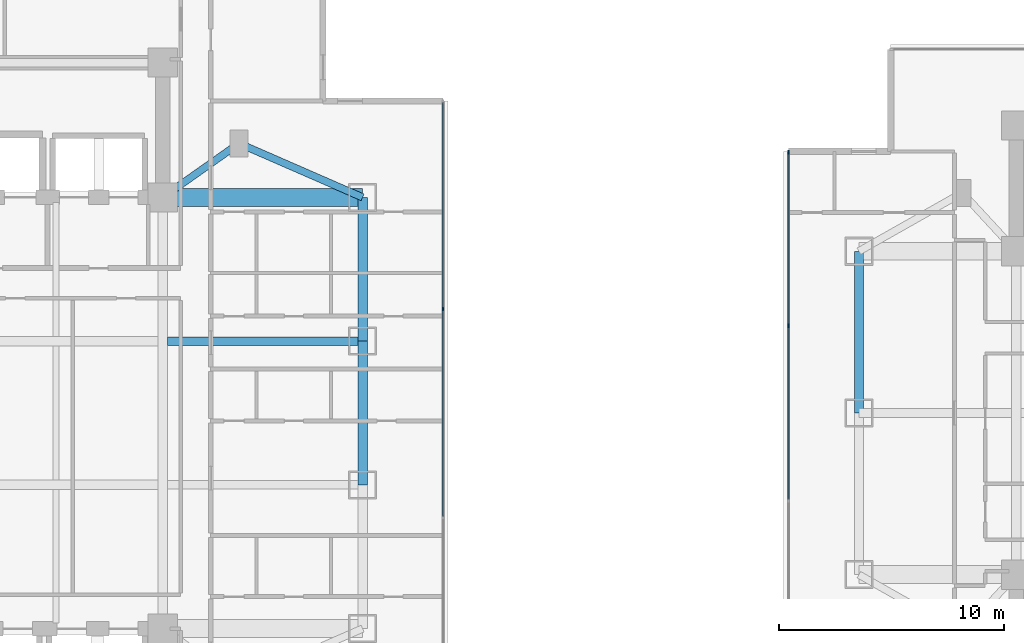
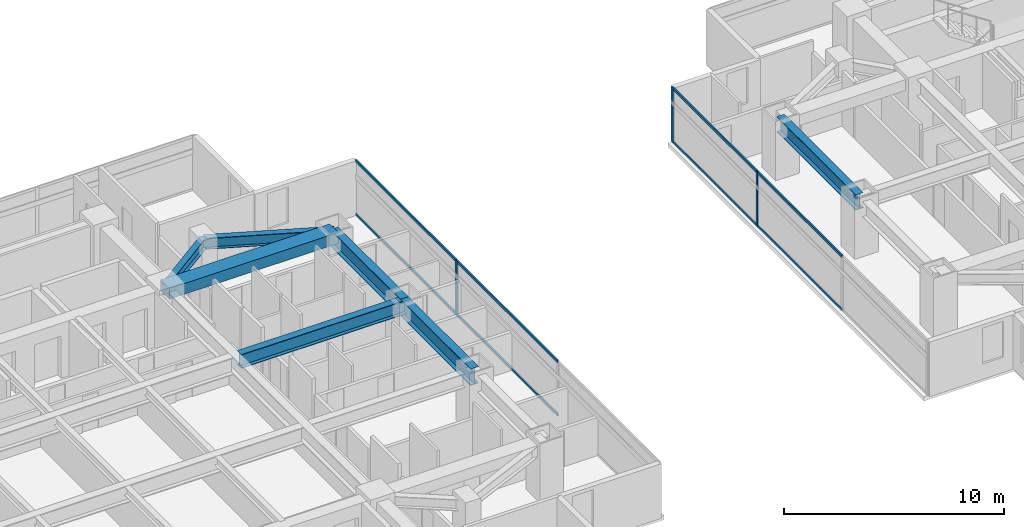
# One storey, part 6 of 24: 11 members, 7 beams, 2 elements without a shape of their own.
"""IFC4 building model written with IfcOpenShell, lengths in metres."""

from ifc_helpers import new_model, si_unit, direction, frame, origin, origin_2d, place, context, subcontext, project, spatial, rectangle, i_section, extrude, material, material_profile, profile_set, type_object, element, aggregate, save


model = new_model("IFC4")

# Units and contexts
model_context = context("Model", 3, precision=1e-05, world=origin(), true_north=direction((0.0, 1.0)))
body_context = subcontext(model_context, "Body", "Model", "MODEL_VIEW")
ifc_project = project(units=[si_unit("LENGTHUNIT", "METRE"), si_unit("AREAUNIT", "SQUARE_METRE"), si_unit("VOLUMEUNIT", "CUBIC_METRE"), si_unit("PLANEANGLEUNIT", "RADIAN"), si_unit("MASSUNIT", "GRAM", prefix="KILO")], contexts=[model_context])

# Site, building, storey
site_placement = place(None, origin())
site = spatial("IfcSite", under=ifc_project, at=site_placement, CompositionType="ELEMENT")
building_placement = place(site_placement, origin())
building = spatial("IfcBuilding", under=site, at=building_placement, Name="Mirazonda Arch Towers", CompositionType="ELEMENT")
storey_placement = place(building_placement, frame((0.0, 0.0, 68.60009765625)))
storey = spatial("IfcBuildingStorey", under=building, at=storey_placement, Name="L19", CompositionType="ELEMENT", Elevation=68.60009765625)

# Beams
ifc_material_1 = material(Name="Steel ASTM A992 Grade 50", Category="steel")
ifc_material_profile_1 = material_profile(ifc_material_1, i_section(OverallWidth=0.39990234375, OverallDepth=0.85595703125, WebThickness=0.018310546875, FlangeThickness=0.029296875, at=origin_2d()), Name="W33X201")
ifc_profile_set_1 = profile_set([ifc_material_profile_1], Name="Steel ASTM A992 Grade 50")
beam_type_1 = type_object("IfcBeamType", Name="BM-EXT-W33X201", PredefinedType="USERDEFINED", material=ifc_profile_set_1)
beam_1_placement = place(storey_placement, frame((61.0, 28.0, 2.6318359375), z_axis=(0.0, 1.0, 0.0), x_axis=(-1.0, 0.0, 0.0)))
element("IfcBeam", 1, at=beam_1_placement, inside=storey, type_object=beam_type_1, Name="L19 Floor Beam BM-T2-L19-NS-W-28", ObjectType="GIRDER", PredefinedType="USERDEFINED", context=body_context, shape_type="SweptSolid", body=[
    extrude(i_section(OverallWidth=0.39990234375, OverallDepth=0.85595703125, WebThickness=0.018310546875, FlangeThickness=0.029296875, at=origin_2d()), origin(), (0.0, 0.0, 1.0), 7.199951171875),
])
ifc_material_profile_2 = material_profile(ifc_material_1, i_section(OverallWidth=0.41796875, OverallDepth=0.927001953125, WebThickness=0.019287109375, FlangeThickness=0.031982421875, at=origin_2d()), Name="W36X231")
ifc_profile_set_2 = profile_set([ifc_material_profile_2], Name="Steel ASTM A992 Grade 50")
beam_type_2 = type_object("IfcBeamType", Name="BM-EXT-W36X231", PredefinedType="USERDEFINED", material=ifc_profile_set_2)
beam_2_placement = place(storey_placement, frame((38.89990234375, 24.800048828125, 2.596435546875), z_axis=(0.0, 1.0, 0.0), x_axis=(-1.0, 0.0, 0.0)))
element("IfcBeam", 2, at=beam_2_placement, inside=storey, type_object=beam_type_2, Name="L19 Floor Beam BM-T1-L19-NS-E-24", ObjectType="GIRDER", PredefinedType="USERDEFINED", context=body_context, shape_type="SweptSolid", body=[
    extrude(i_section(OverallWidth=0.41796875, OverallDepth=0.927001953125, WebThickness=0.019287109375, FlangeThickness=0.031982421875, at=origin_2d()), origin(), (0.0, 0.0, 1.0), 6.39990234375),
])
beam_3_placement = place(storey_placement, frame((38.89990234375, 31.199951171875, 2.596435546875), z_axis=(0.0, 1.0, 0.0), x_axis=(-1.0, 0.0, 0.0)))
element("IfcBeam", 3, at=beam_3_placement, inside=storey, type_object=beam_type_2, Name="L19 Floor Beam BM-T1-L19-NS-E-31", ObjectType="GIRDER", PredefinedType="USERDEFINED", context=body_context, shape_type="SweptSolid", body=[
    extrude(i_section(OverallWidth=0.41796875, OverallDepth=0.927001953125, WebThickness=0.019287109375, FlangeThickness=0.031982421875, at=origin_2d()), origin(), (0.0, 0.0, 1.0), 6.400146484375),
])
ifc_material_profile_3 = material_profile(ifc_material_1, i_section(OverallWidth=0.324951171875, OverallDepth=0.615966796875, WebThickness=0.013916015625, FlangeThickness=0.021484375, at=origin_2d()), Name="W24X117")
ifc_profile_set_3 = profile_set([ifc_material_profile_3], Name="Steel ASTM A992 Grade 50")
beam_type_3 = type_object("IfcBeamType", Name="BM-INT-W24X117", PredefinedType="BEAM", material=ifc_profile_set_3)
beam_4_placement = place(storey_placement, frame((33.39990234375, 40.0, 2.751953125), z_axis=(-0.816971114901, -0.576678591087, 0.0), x_axis=(0.576678591087, -0.816971114901, 0.0)))
element("IfcBeam", 4, at=beam_4_placement, inside=storey, type_object=beam_type_3, Name="L19 Floor Beam BM-T1-L19-PL-NE1", PredefinedType="BEAM", context=body_context, shape_type="SweptSolid", body=[
    extrude(i_section(OverallWidth=0.324951171875, OverallDepth=0.615966796875, WebThickness=0.013916015625, FlangeThickness=0.021484375, at=origin_2d()), origin(), (0.0, 0.0, 1.0), 4.16162109375),
])
beam_5_placement = place(storey_placement, frame((33.39990234375, 40.0, 2.751953125), z_axis=(0.916545343703, -0.399930785183, 0.0), x_axis=(0.399930785183, 0.916545343703, 0.0)))
element("IfcBeam", 5, at=beam_5_placement, inside=storey, type_object=beam_type_3, Name="L19 Floor Beam BM-T1-L19-PL-NE2", PredefinedType="BEAM", context=body_context, shape_type="SweptSolid", body=[
    extrude(i_section(OverallWidth=0.324951171875, OverallDepth=0.615966796875, WebThickness=0.013916015625, FlangeThickness=0.021484375, at=origin_2d()), origin(), (0.0, 0.0, 1.0), 6.000732421875),
])
ifc_material_profile_4 = material_profile(ifc_material_1, i_section(OverallWidth=0.381103515625, OverallDepth=0.77294921875, WebThickness=0.0166015625, FlangeThickness=0.027099609375, at=origin_2d()), Name="W30X173")
ifc_profile_set_4 = profile_set([ifc_material_profile_4], Name="Steel ASTM A992 Grade 50")
beam_type_4 = type_object("IfcBeamType", Name="BM-INT-W30X173", PredefinedType="USERDEFINED", material=ifc_profile_set_4)
beam_6_placement = place(storey_placement, frame((30.21142578125, 31.199951171875, 2.67333984375), z_axis=(1.0, 0.0, 0.0), x_axis=(0.0, 1.0, 0.0)))
element("IfcBeam", 6, at=beam_6_placement, inside=storey, type_object=beam_type_4, Name="L19 Floor Beam BM-T1-L19-GE3", ObjectType="GIRDER", PredefinedType="USERDEFINED", context=body_context, shape_type="SweptSolid", body=[
    extrude(i_section(OverallWidth=0.381103515625, OverallDepth=0.77294921875, WebThickness=0.0166015625, FlangeThickness=0.027099609375, at=origin_2d()), origin(), (0.0, 0.0, 1.0), 8.6884765625),
])
ifc_material_2 = material(Name="Concrete C60/75", Category="concrete")
ifc_material_profile_5 = material_profile(ifc_material_2, rectangle(XDim=0.800048828125, YDim=0.60009765625, at=origin_2d()), Name="RCCB800x600")
ifc_profile_set_5 = profile_set([ifc_material_profile_5], Name="Concrete C60/75")
beam_type_5 = type_object("IfcBeamType", Name="CB-INT-RCCB800x600", PredefinedType="SPANDREL", material=ifc_profile_set_5)
beam_7_placement = place(storey_placement, frame((30.0, 37.60009765625, 2.760009765625), z_axis=(1.0, 0.0, 0.0), x_axis=(0.0, 1.0, 0.0)))
element("IfcBeam", 7, at=beam_7_placement, inside=storey, type_object=beam_type_5, Name="L19 Floor Beam CBC-T1-L19-NE", PredefinedType="SPANDREL", context=body_context, shape_type="SweptSolid", body=[
    extrude(rectangle(XDim=0.800048828125, YDim=0.60009765625, at=origin_2d()), origin(), (0.0, 0.0, 1.0), 8.89990234375),
])

# Curtain wall, member
ifc_material_3 = material(Name="Anodised Aluminium and Low-E Glass", Category="aluminium")
curtain_wall_type = type_object("IfcCurtainWallType", Name="CW-HTL-UNIT", PredefinedType="NOTDEFINED", material=ifc_material_3)
curtain_wall_1_placement = place(storey_placement, origin())
curtain_wall_1 = element("IfcCurtainWall", 8, at=curtain_wall_1_placement, inside=storey, type_object=curtain_wall_type, Name="L19 T1 E Facade CW-L19-T1-E", PredefinedType="NOTDEFINED")
ifc_material_4 = material(Name="Anodised Aluminium Alloy", Category="aluminium")
ifc_material_profile_6 = material_profile(ifc_material_4, rectangle(XDim=0.074951171875, YDim=0.1650390625, at=origin_2d()), Name="ALU-MULL-75x165")
ifc_profile_set_6 = profile_set([ifc_material_profile_6], Name="Anodised Aluminium Alloy")
member_type_1 = type_object("IfcMemberType", Name="MULL-CW-HTL-UNIT", PredefinedType="MULLION", material=ifc_profile_set_6)
member_1_placement = place(storey_placement, frame((42.47998046875, 32.6298828125, 0.0), z_axis=(0.0, 0.0, 1.0), x_axis=(-1.0, 0.0, 0.0)))
member_1 = element("IfcMember", 9, at=member_1_placement, type_object=member_type_1, Name="CW-112 mullion 3", PredefinedType="MULLION", context=body_context, shape_type="SweptSolid", body=[
    extrude(rectangle(XDim=0.074951171875, YDim=0.1650390625, at=origin_2d()), origin(), (0.0, 0.0, 1.0), 3.039794921875),
])

# Curtain wall, members
curtain_wall_2_placement = place(storey_placement, origin())
curtain_wall_2 = element("IfcCurtainWall", 10, at=curtain_wall_2_placement, inside=storey, type_object=curtain_wall_type, Name="L19 T2 W Facade CW-L19-T2-W", PredefinedType="NOTDEFINED")
member_2_placement = place(storey_placement, frame((57.8701171875, 39.60888671875, 0.0), z_axis=(0.0, 0.0, 1.0), x_axis=(1.0, 0.0, 0.0)))
member_2 = element("IfcMember", 11, at=member_2_placement, type_object=member_type_1, Name="CW-112 mullion 1", PredefinedType="MULLION", context=body_context, shape_type="SweptSolid", body=[
    extrude(rectangle(XDim=0.074951171875, YDim=0.1650390625, at=origin_2d()), origin(), (0.0, 0.0, 1.0), 3.039794921875),
])
member_3_placement = place(storey_placement, frame((57.8701171875, 31.882080078125, 0.0), z_axis=(0.0, 0.0, 1.0), x_axis=(1.0, 0.0, 0.0)))
member_3 = element("IfcMember", 12, at=member_3_placement, type_object=member_type_1, Name="CW-112 mullion 2", PredefinedType="MULLION", context=body_context, shape_type="SweptSolid", body=[
    extrude(rectangle(XDim=0.074951171875, YDim=0.1650390625, at=origin_2d()), origin(), (0.0, 0.0, 1.0), 3.039794921875),
])

# Member
ifc_material_profile_7 = material_profile(ifc_material_4, rectangle(XDim=0.074951171875, YDim=0.14501953125, at=origin_2d()), Name="ALU-TRAN-75x145")
ifc_profile_set_7 = profile_set([ifc_material_profile_7], Name="Anodised Aluminium Alloy")
member_type_2 = type_object("IfcMemberType", Name="TRAN-CW-HTL-UNIT", PredefinedType="USERDEFINED", material=ifc_profile_set_7)
member_4_placement = place(storey_placement, frame((42.47998046875, 23.407470703125, 0.037353515625), z_axis=(0.0, 1.0, 0.0), x_axis=(-1.0, 0.0, 0.0)))
member_4 = element("IfcMember", 13, at=member_4_placement, type_object=member_type_2, Name="CW-112 transom 2.1", ObjectType="TRANSOM", PredefinedType="USERDEFINED", context=body_context, shape_type="SweptSolid", body=[
    extrude(rectangle(XDim=0.074951171875, YDim=0.14501953125, at=origin_2d()), origin(), (0.0, 0.0, 1.0), 9.18505859375),
])

member_5_placement = place(storey_placement, frame((42.47998046875, 23.407470703125, 3.00244140625), z_axis=(0.0, 1.0, 0.0), x_axis=(-1.0, 0.0, 0.0)))
member_5 = element("IfcMember", 14, at=member_5_placement, type_object=member_type_2, Name="CW-112 transom 2.2", ObjectType="TRANSOM", PredefinedType="USERDEFINED", context=body_context, shape_type="SweptSolid", body=[
    extrude(rectangle(XDim=0.074951171875, YDim=0.14501953125, at=origin_2d()), origin(), (0.0, 0.0, 1.0), 9.18505859375),
])

member_6_placement = place(storey_placement, frame((42.47998046875, 32.66748046875, 0.037353515625), z_axis=(0.0, 1.0, 0.0), x_axis=(-1.0, 0.0, 0.0)))
member_6 = element("IfcMember", 15, at=member_6_placement, type_object=member_type_2, Name="CW-112 transom 3.1", ObjectType="TRANSOM", PredefinedType="USERDEFINED", context=body_context, shape_type="SweptSolid", body=[
    extrude(rectangle(XDim=0.074951171875, YDim=0.14501953125, at=origin_2d()), origin(), (0.0, 0.0, 1.0), 9.1474609375),
])

member_7_placement = place(storey_placement, frame((42.47998046875, 32.66748046875, 3.00244140625), z_axis=(0.0, 1.0, 0.0), x_axis=(-1.0, 0.0, 0.0)))
member_7 = element("IfcMember", 16, at=member_7_placement, type_object=member_type_2, Name="CW-112 transom 3.2", ObjectType="TRANSOM", PredefinedType="USERDEFINED", context=body_context, shape_type="SweptSolid", body=[
    extrude(rectangle(XDim=0.074951171875, YDim=0.14501953125, at=origin_2d()), origin(), (0.0, 0.0, 1.0), 9.1474609375),
])

aggregate(curtain_wall_1, [member_1, member_4, member_5, member_6, member_7])

member_8_placement = place(storey_placement, frame((57.8701171875, 39.571533203125, 0.037353515625), z_axis=(0.0, -1.0, 0.0), x_axis=(1.0, 0.0, 0.0)))
member_8 = element("IfcMember", 17, at=member_8_placement, type_object=member_type_2, Name="CW-112 transom 1.1", ObjectType="TRANSOM", PredefinedType="USERDEFINED", context=body_context, shape_type="SweptSolid", body=[
    extrude(rectangle(XDim=0.074951171875, YDim=0.14501953125, at=origin_2d()), origin(), (0.0, 0.0, 1.0), 7.65185546875),
])

member_9_placement = place(storey_placement, frame((57.8701171875, 39.571533203125, 3.00244140625), z_axis=(0.0, -1.0, 0.0), x_axis=(1.0, 0.0, 0.0)))
member_9 = element("IfcMember", 18, at=member_9_placement, type_object=member_type_2, Name="CW-112 transom 1.2", ObjectType="TRANSOM", PredefinedType="USERDEFINED", context=body_context, shape_type="SweptSolid", body=[
    extrude(rectangle(XDim=0.074951171875, YDim=0.14501953125, at=origin_2d()), origin(), (0.0, 0.0, 1.0), 7.65185546875),
])

member_10_placement = place(storey_placement, frame((57.8701171875, 31.8447265625, 0.037353515625), z_axis=(0.0, -1.0, 0.0), x_axis=(1.0, 0.0, 0.0)))
member_10 = element("IfcMember", 19, at=member_10_placement, type_object=member_type_2, Name="CW-112 transom 2.1", ObjectType="TRANSOM", PredefinedType="USERDEFINED", context=body_context, shape_type="SweptSolid", body=[
    extrude(rectangle(XDim=0.074951171875, YDim=0.14501953125, at=origin_2d()), origin(), (0.0, 0.0, 1.0), 7.689453125),
])

member_11_placement = place(storey_placement, frame((57.8701171875, 31.8447265625, 3.00244140625), z_axis=(0.0, -1.0, 0.0), x_axis=(1.0, 0.0, 0.0)))
member_11 = element("IfcMember", 20, at=member_11_placement, type_object=member_type_2, Name="CW-112 transom 2.2", ObjectType="TRANSOM", PredefinedType="USERDEFINED", context=body_context, shape_type="SweptSolid", body=[
    extrude(rectangle(XDim=0.074951171875, YDim=0.14501953125, at=origin_2d()), origin(), (0.0, 0.0, 1.0), 7.689453125),
])

aggregate(curtain_wall_2, [member_2, member_3, member_8, member_9, member_10, member_11])

save(model, "model.ifc")
